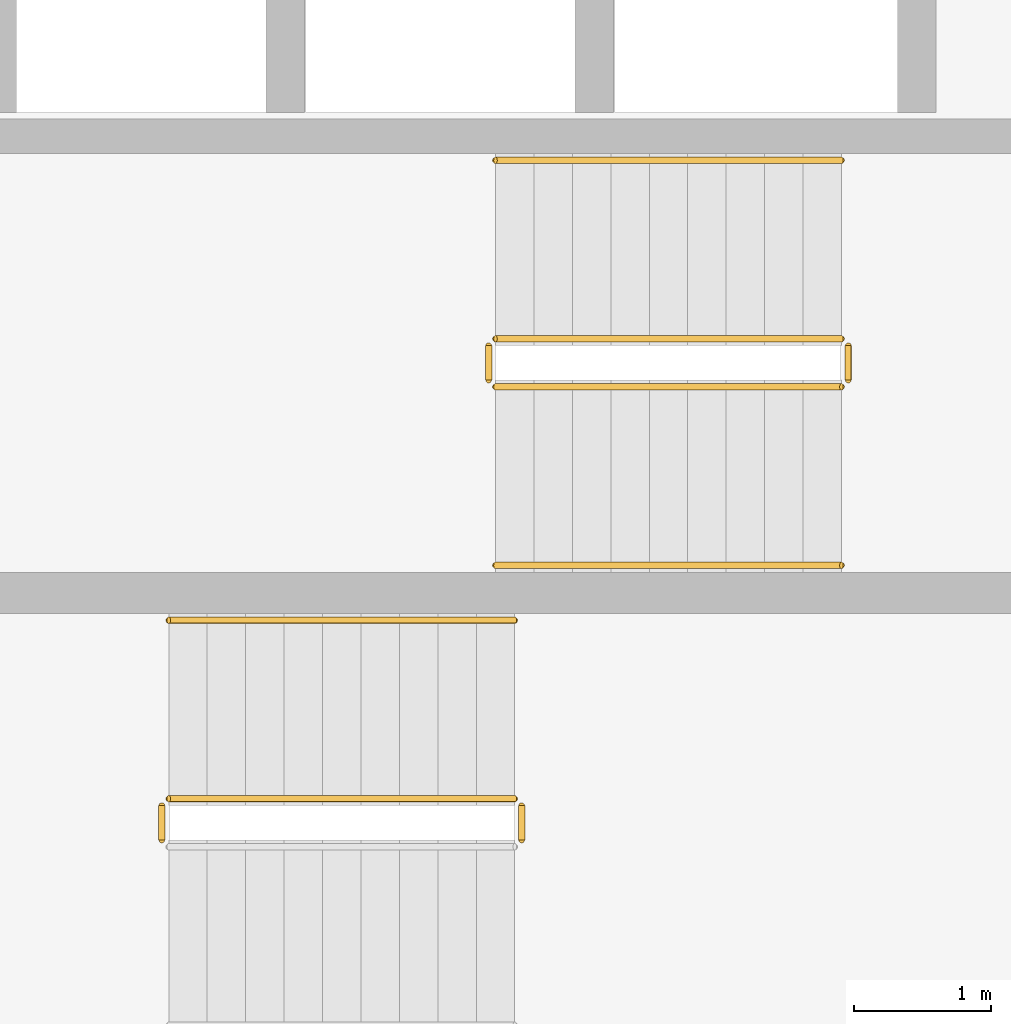
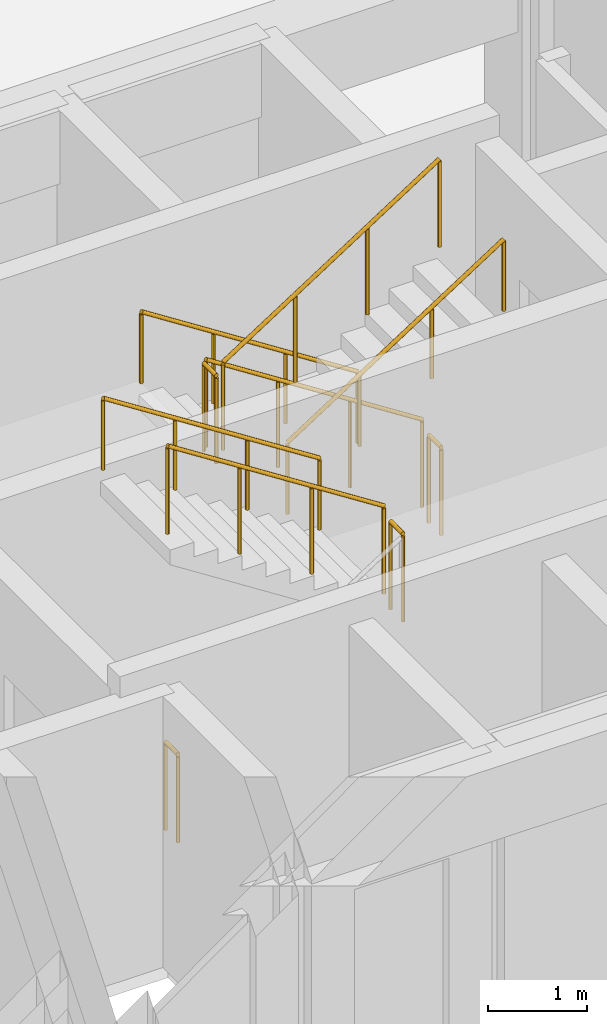
# One storey, part 23 of 24: 10 railings.
"""IFC4 building model written with IfcOpenShell, lengths in metres."""

import ifcopenshell
import ifcopenshell.guid

model = None  # the IFC model being written
_history = None  # IfcOwnerHistory: only IFC2X3 demands one
_inside = {}  # id of a spatial element -> (the spatial element, [elements in it])
_under = {}  # id of a project, library or spatial element -> (it, [spatial elements below it])
_declared = {}  # id of a project -> (the project, [libraries it declares])
_typed = {}  # id of a type object -> (the type object, [elements of that type])
_made_of = {}  # id of a material, layer set ... -> (it, [elements and type objects made of it])


def new_model(schema):
    """Start an empty IFC model of exactly this schema.

    Asked for "IFC4X3", IfcOpenShell would pick the latest addendum, in which some entities
    have other attributes; the version numbers below select the first issue.
    IFC2X3 requires an IfcOwnerHistory on every rooted entity: one is made here for all.
    """
    global model, _history
    if schema == "IFC4X3":
        model = ifcopenshell.file(schema_version=(4, 3, 0, 0))
    else:
        model = ifcopenshell.file(schema=schema)
    _inside.clear()
    _under.clear()
    _declared.clear()
    _typed.clear()
    _made_of.clear()
    _history = None
    if model.schema == "IFC2X3":
        org = make("IfcOrganization", Name="unknown")
        user = make(
            "IfcPersonAndOrganization",
            ThePerson=make("IfcPerson", FamilyName="unknown"),
            TheOrganization=org,
        )
        app = make(
            "IfcApplication",
            ApplicationDeveloper=org,
            Version="unknown",
            ApplicationFullName="unknown",
            ApplicationIdentifier="unknown",
        )
        _history = make(
            "IfcOwnerHistory",
            OwningUser=user,
            OwningApplication=app,
            ChangeAction="ADDED",
            CreationDate=0,
        )
    return model


def make(cls, **values):
    """One entity of the class cls with the attributes given. An attribute that is None is left unset."""
    return model.create_entity(
        cls, **{name: value for name, value in values.items() if value is not None}
    )


def rooted(cls, **values):
    """An entity with a GlobalId (a new one), such as an element, a storey or a relation."""
    return make(cls, GlobalId=ifcopenshell.guid.new(), OwnerHistory=_history, **values)


def si_unit(unit_type, name, prefix=None):
    """IfcSIUnit, for example si_unit("LENGTHUNIT", "METRE", prefix="MILLI")."""
    return make("IfcSIUnit", UnitType=unit_type, Prefix=prefix, Name=name)


def assignment(units):
    """IfcUnitAssignment: the units of a project."""
    return None if units is None else make("IfcUnitAssignment", Units=units)


def point(xyz):
    """IfcCartesianPoint."""
    return None if xyz is None else make("IfcCartesianPoint", Coordinates=xyz)


def direction(xyz):
    """IfcDirection."""
    return None if xyz is None else make("IfcDirection", DirectionRatios=xyz)


def frame(location, z_axis=None, x_axis=None):
    """IfcAxis2Placement3D, a coordinate frame: its origin and axes. An axis left out is left unset."""
    return make(
        "IfcAxis2Placement3D",
        Location=point(location),
        Axis=direction(z_axis),
        RefDirection=direction(x_axis),
    )


def frame_2d(location, x_axis=None):
    """IfcAxis2Placement2D, a coordinate frame in the plane: its origin and x axis."""
    return make(
        "IfcAxis2Placement2D", Location=point(location), RefDirection=direction(x_axis)
    )


def origin():
    """The frame at (0, 0, 0) with its axes left unset."""
    return frame((0.0, 0.0, 0.0))


def origin_2d():
    """The frame at (0, 0) in the plane with its x axis left unset."""
    return frame_2d((0.0, 0.0))


def place(relative_to, where):
    """IfcLocalPlacement: puts the frame where relative to a parent placement (None: the world)."""
    return make(
        "IfcLocalPlacement", PlacementRelTo=relative_to, RelativePlacement=where
    )


def context(
    kind, dimensions, precision=None, world=None, true_north=None, identifier=None
):
    """IfcGeometricRepresentationContext, for example the 3D "Model" context."""
    return make(
        "IfcGeometricRepresentationContext",
        ContextIdentifier=identifier,
        ContextType=kind,
        CoordinateSpaceDimension=dimensions,
        Precision=precision,
        WorldCoordinateSystem=world,
        TrueNorth=true_north,
    )


def subcontext(parent, identifier, kind, view, scale=None):
    """IfcGeometricRepresentationSubContext, for example "Body" below "Model"."""
    return make(
        "IfcGeometricRepresentationSubContext",
        ContextIdentifier=identifier,
        ContextType=kind,
        ParentContext=parent,
        TargetScale=scale,
        TargetView=view,
    )


def project(units=None, contexts=None):
    """IfcProject with its units and contexts."""
    return rooted(
        "IfcProject",
        Name="project",
        RepresentationContexts=contexts,
        UnitsInContext=assignment(units),
    )


def spatial(cls, under=None, at=None, **own):
    """A site, building, storey or space (cls), placed at a placement, below another one or the project."""
    s = rooted(cls, ObjectPlacement=at, **own)
    if under is not None:
        _under.setdefault(under.id(), (under, []))[1].append(s)
    return s


def profile(cls, at=None, kind="AREA", **sizes):
    """A parametric profile (cls). Its sizes go by their IFC names, for example OverallWidth=200.0."""
    return make(cls, ProfileType=kind, Position=at, **sizes)


def circle(**sizes):
    """IfcCircleProfileDef."""
    return profile("IfcCircleProfileDef", **sizes)


def extrude(swept, where, along, depth):
    """IfcExtrudedAreaSolid: the profile swept, set in the frame where, extruded along a direction by depth."""
    return make(
        "IfcExtrudedAreaSolid",
        SweptArea=swept,
        Position=where,
        ExtrudedDirection=direction(along),
        Depth=depth,
    )


def shape(context_of_items, identifier, shape_type, items):
    """IfcShapeRepresentation: the items that make up one representation, for example the "Body"."""
    return make(
        "IfcShapeRepresentation",
        ContextOfItems=context_of_items,
        RepresentationIdentifier=identifier,
        RepresentationType=shape_type,
        Items=items,
    )


def material(Name=None, Category=None):
    """IfcMaterial."""
    return make("IfcMaterial", Name=Name, Category=Category)


def made_of(thing, what):
    """Note that an element or type object is made of a material, layer set ...; save() writes the relation."""
    if what is not None:
        _made_of.setdefault(what.id(), (what, []))[1].append(thing)
    return thing


def type_object(cls, material=None, **own):
    """A type object (cls), such as IfcWallType, which elements share."""
    return made_of(rooted(cls, **own), material)


def element(
    cls,
    number,
    at=None,
    inside=None,
    cuts=None,
    type_object=None,
    material=None,
    context=None,
    identifier="Body",
    shape_type=None,
    held_by="IfcProductDefinitionShape",
    body=None,
    shapes=None,
    **own,
):
    """One element of the class cls, such as IfcWall. Its Tag is "e" and its number.

    at: its placement. inside: the storey or other place that contains it. cuts: it is an
    opening in that element (IfcRelVoidsElement). A single representation is given by context,
    identifier, shape_type and body (its items); several are given by shapes. held_by: the class
    of the entity that holds the representations. save() writes the other relations.
    """
    e = rooted(cls, Tag="e%d" % number, ObjectPlacement=at, **own)
    if body is not None:
        shapes = [shape(context, identifier, shape_type, body)]
    if shapes is not None:
        e.Representation = make(held_by, Representations=shapes)
    if inside is not None:
        _inside.setdefault(inside.id(), (inside, []))[1].append(e)
    if cuts is not None:
        rooted(
            "IfcRelVoidsElement", RelatingBuildingElement=cuts, RelatedOpeningElement=e
        )
    if type_object is not None:
        _typed.setdefault(type_object.id(), (type_object, []))[1].append(e)
    return made_of(e, material)


def aggregate(whole, parts):
    """IfcRelAggregates: a whole, such as a stair, and the parts it consists of."""
    return rooted("IfcRelAggregates", RelatingObject=whole, RelatedObjects=parts)


def save(model, path):
    """Write the relations noted so far, then the file.

    IfcRelAggregates (storeys below a building ...), IfcRelContainedInSpatialStructure (elements
    in a storey), IfcRelDefinesByType, IfcRelAssociatesMaterial and IfcRelDeclares: one each for
    every whole, place, type object, material and project.
    """
    for whole, parts in _under.values():
        aggregate(whole, parts)
    for where, things in _inside.values():
        rooted(
            "IfcRelContainedInSpatialStructure",
            RelatedElements=things,
            RelatingStructure=where,
        )
    for kind, things in _typed.values():
        rooted("IfcRelDefinesByType", RelatedObjects=things, RelatingType=kind)
    for what, things in _made_of.values():
        rooted("IfcRelAssociatesMaterial", RelatedObjects=things, RelatingMaterial=what)
    for by, libraries in _declared.values():
        rooted("IfcRelDeclares", RelatingContext=by, RelatedDefinitions=libraries)
    model.write(path)


model = new_model("IFC4")

# Units and contexts
model_context = context("Model", 3, precision=1e-05, world=origin(), true_north=direction((0.0, 1.0)))
body_context = subcontext(model_context, "Body", "Model", "MODEL_VIEW")
ifc_project = project(units=[si_unit("LENGTHUNIT", "METRE"), si_unit("AREAUNIT", "SQUARE_METRE"), si_unit("VOLUMEUNIT", "CUBIC_METRE"), si_unit("PLANEANGLEUNIT", "RADIAN"), si_unit("MASSUNIT", "GRAM", prefix="KILO")], contexts=[model_context])

# Site, building, storey
site_placement = place(None, origin())
site = spatial("IfcSite", under=ifc_project, at=site_placement, CompositionType="ELEMENT")
building_placement = place(site_placement, origin())
building = spatial("IfcBuilding", under=site, at=building_placement, Name="Solvirekh Grand Hotel", CompositionType="ELEMENT")
storey_placement = place(building_placement, frame((0.0, 0.0, 86.0)))
storey = spatial("IfcBuildingStorey", under=building, at=storey_placement, Name="L21", CompositionType="ELEMENT", Elevation=86.0)

# Railings
ifc_material_1 = material(Name="Steel S355", Category="steel")
railing_type_1 = type_object("IfcRailingType", Name="Guard_Stair_1100", PredefinedType="GUARDRAIL", material=ifc_material_1)
railing_1_placement = place(storey_placement, frame((0.1201171875, -1.800048828125, 1.800048828125)))
element("IfcRailing", 1, at=railing_1_placement, inside=storey, type_object=railing_type_1, Name="L21 ST-1 stair guard 2", PredefinedType="GUARDRAIL", context=body_context, shape_type="SweptSolid", body=[
    extrude(circle(Radius=0.02392578125, at=origin_2d()), frame((0.0, 0.0, 1.076171875), z_axis=(0.0, 1.0, 0.0), x_axis=(-1.0, 0.0, 0.0)), (0.0, 0.0, 1.0), 0.25),
    extrude(circle(Radius=0.02099609375, at=origin_2d()), origin(), (0.0, 0.0, 1.0), 1.052001953125),
    extrude(circle(Radius=0.02099609375, at=origin_2d()), frame((0.0, 0.25, 0.0)), (0.0, 0.0, 1.0), 1.052001953125),
])
railing_2_placement = place(storey_placement, frame((0.070068359375, -1.5, 1.97998046875)))
element("IfcRailing", 2, at=railing_2_placement, inside=storey, type_object=railing_type_1, Name="L21 ST-1 stair guard 3", PredefinedType="GUARDRAIL", context=body_context, shape_type="SweptSolid", body=[
    extrude(circle(Radius=0.02392578125, at=origin_2d()), frame((0.0, 0.0, 1.076171875), z_axis=(-0.841162588446, 0.0, 0.540782303519), x_axis=(0.0, -1.0, 0.0)), (0.0, 0.0, 1.0), 2.995849609375),
    extrude(circle(Radius=0.02099609375, at=origin_2d()), origin(), (0.0, 0.0, 1.0), 1.052001953125),
    extrude(circle(Radius=0.02099609375, at=origin_2d()), frame((-0.840087890625, 0.0, 0.5400390625)), (0.0, 0.0, 1.0), 1.052001953125),
    extrude(circle(Radius=0.02099609375, at=origin_2d()), frame((-1.679931640625, 0.0, 1.080078125)), (0.0, 0.0, 1.0), 1.052001953125),
    extrude(circle(Radius=0.02099609375, at=origin_2d()), frame((-2.52001953125, 0.0, 1.6201171875)), (0.0, 0.0, 1.0), 1.052001953125),
])
railing_3_placement = place(storey_placement, frame((-2.5, -1.800048828125, 0.0)))
element("IfcRailing", 3, at=railing_3_placement, inside=storey, type_object=railing_type_1, Name="L21 ST-1 stair guard 4", PredefinedType="GUARDRAIL", context=body_context, shape_type="SweptSolid", body=[
    extrude(circle(Radius=0.02392578125, at=origin_2d()), frame((0.0, 0.0, 1.076171875), z_axis=(0.0, 1.0, 0.0), x_axis=(-1.0, 0.0, 0.0)), (0.0, 0.0, 1.0), 0.25),
    extrude(circle(Radius=0.02099609375, at=origin_2d()), origin(), (0.0, 0.0, 1.0), 1.052001953125),
    extrude(circle(Radius=0.02099609375, at=origin_2d()), frame((0.0, 0.25, 0.0)), (0.0, 0.0, 1.0), 1.052001953125),
])
railing_4_placement = place(storey_placement, frame((2.449951171875, 1.85009765625, 0.179931640625)))
element("IfcRailing", 4, at=railing_4_placement, inside=storey, type_object=railing_type_1, Name="L21 ST-2 stair guard 1", PredefinedType="GUARDRAIL", context=body_context, shape_type="SweptSolid", body=[
    extrude(circle(Radius=0.02392578125, at=origin_2d()), frame((0.0, 0.0, 1.076171875), z_axis=(-0.841162588446, 0.0, 0.540782303519), x_axis=(0.0, -1.0, 0.0)), (0.0, 0.0, 1.0), 2.995849609375),
    extrude(circle(Radius=0.02099609375, at=origin_2d()), origin(), (0.0, 0.0, 1.0), 1.052001953125),
    extrude(circle(Radius=0.02099609375, at=origin_2d()), frame((-0.840087890625, 0.0, 0.5400390625)), (0.0, 0.0, 1.0), 1.052001953125),
    extrude(circle(Radius=0.02099609375, at=origin_2d()), frame((-1.679931640625, 0.0, 1.080078125)), (0.0, 0.0, 1.0), 1.052001953125),
    extrude(circle(Radius=0.02099609375, at=origin_2d()), frame((-2.52001953125, 0.0, 1.6201171875)), (0.0, 0.0, 1.0), 1.052001953125),
])
railing_5_placement = place(storey_placement, frame((-0.1201171875, 1.800048828125, 1.800048828125)))
element("IfcRailing", 5, at=railing_5_placement, inside=storey, type_object=railing_type_1, Name="L21 ST-2 stair guard 2", PredefinedType="GUARDRAIL", context=body_context, shape_type="SweptSolid", body=[
    extrude(circle(Radius=0.02392578125, at=origin_2d()), frame((0.0, 0.0, 1.076171875), z_axis=(0.0, -1.0, 0.0), x_axis=(1.0, 0.0, 0.0)), (0.0, 0.0, 1.0), 0.25),
    extrude(circle(Radius=0.02099609375, at=origin_2d()), origin(), (0.0, 0.0, 1.0), 1.052001953125),
    extrude(circle(Radius=0.02099609375, at=origin_2d()), frame((0.0, -0.25, 0.0)), (0.0, 0.0, 1.0), 1.052001953125),
])
railing_6_placement = place(storey_placement, frame((-0.070068359375, 1.5, 1.97998046875)))
element("IfcRailing", 6, at=railing_6_placement, inside=storey, type_object=railing_type_1, Name="L21 ST-2 stair guard 3", PredefinedType="GUARDRAIL", context=body_context, shape_type="SweptSolid", body=[
    extrude(circle(Radius=0.02392578125, at=origin_2d()), frame((0.0, 0.0, 1.076171875), z_axis=(0.841162588446, 0.0, 0.540782303519), x_axis=(0.0, 1.0, 0.0)), (0.0, 0.0, 1.0), 2.995849609375),
    extrude(circle(Radius=0.02099609375, at=origin_2d()), origin(), (0.0, 0.0, 1.0), 1.052001953125),
    extrude(circle(Radius=0.02099609375, at=origin_2d()), frame((0.840087890625, 0.0, 0.5400390625)), (0.0, 0.0, 1.0), 1.052001953125),
    extrude(circle(Radius=0.02099609375, at=origin_2d()), frame((1.679931640625, 0.0, 1.080078125)), (0.0, 0.0, 1.0), 1.052001953125),
    extrude(circle(Radius=0.02099609375, at=origin_2d()), frame((2.52001953125, 0.0, 1.6201171875)), (0.0, 0.0, 1.0), 1.052001953125),
])
railing_7_placement = place(storey_placement, frame((2.5, 1.800048828125, 0.0)))
element("IfcRailing", 7, at=railing_7_placement, inside=storey, type_object=railing_type_1, Name="L21 ST-2 stair guard 4", PredefinedType="GUARDRAIL", context=body_context, shape_type="SweptSolid", body=[
    extrude(circle(Radius=0.02392578125, at=origin_2d()), frame((0.0, 0.0, 1.076171875), z_axis=(0.0, -1.0, 0.0), x_axis=(1.0, 0.0, 0.0)), (0.0, 0.0, 1.0), 0.25),
    extrude(circle(Radius=0.02099609375, at=origin_2d()), origin(), (0.0, 0.0, 1.0), 1.052001953125),
    extrude(circle(Radius=0.02099609375, at=origin_2d()), frame((0.0, -0.25, 0.0)), (0.0, 0.0, 1.0), 1.052001953125),
])
ifc_material_2 = material(Name="Anodized Bronze Aluminium 6063-T6", Category="aluminium")
railing_type_2 = type_object("IfcRailingType", Name="Handrail_Wall_900", PredefinedType="HANDRAIL", material=ifc_material_2)
for number, where, name in (
    (8, (0.070068359375, -0.199951171875, 1.97998046875), "L21 ST-1 stair handrail 2"),
    (9, (2.449951171875, 3.14990234375, 0.179931640625), "L21 ST-2 stair handrail 1"),
):
    element("IfcRailing", number, at=place(storey_placement, frame(where)), inside=storey, type_object=railing_type_2, Name=name, PredefinedType="HANDRAIL", context=body_context, shape_type="SweptSolid", body=[
        extrude(circle(Radius=0.02392578125, at=origin_2d()), frame((0.0, 0.0, 0.8759765625), z_axis=(-0.841162588446, 0.0, 0.540782303519), x_axis=(0.0, -1.0, 0.0)), (0.0, 0.0, 1.0), 2.995849609375),
        extrude(circle(Radius=0.02099609375, at=origin_2d()), origin(), (0.0, 0.0, 1.0), 0.851806640625),
        extrude(circle(Radius=0.02099609375, at=origin_2d()), frame((-0.840087890625, 0.0, 0.5400390625)), (0.0, 0.0, 1.0), 0.851806640625),
        extrude(circle(Radius=0.02099609375, at=origin_2d()), frame((-1.679931640625, 0.0, 1.080078125)), (0.0, 0.0, 1.0), 0.851806640625),
        extrude(circle(Radius=0.02099609375, at=origin_2d()), frame((-2.52001953125, 0.0, 1.6201171875)), (0.0, 0.0, 1.0), 0.851806640625),
    ])
railing_8_placement = place(storey_placement, frame((-0.070068359375, 0.199951171875, 1.97998046875)))
element("IfcRailing", 10, at=railing_8_placement, inside=storey, type_object=railing_type_2, Name="L21 ST-2 stair handrail 2", PredefinedType="HANDRAIL", context=body_context, shape_type="SweptSolid", body=[
    extrude(circle(Radius=0.02392578125, at=origin_2d()), frame((0.0, 0.0, 0.8759765625), z_axis=(0.841162588446, 0.0, 0.540782303519), x_axis=(0.0, 1.0, 0.0)), (0.0, 0.0, 1.0), 2.995849609375),
    extrude(circle(Radius=0.02099609375, at=origin_2d()), origin(), (0.0, 0.0, 1.0), 0.851806640625),
    extrude(circle(Radius=0.02099609375, at=origin_2d()), frame((0.840087890625, 0.0, 0.5400390625)), (0.0, 0.0, 1.0), 0.851806640625),
    extrude(circle(Radius=0.02099609375, at=origin_2d()), frame((1.679931640625, 0.0, 1.080078125)), (0.0, 0.0, 1.0), 0.851806640625),
    extrude(circle(Radius=0.02099609375, at=origin_2d()), frame((2.52001953125, 0.0, 1.6201171875)), (0.0, 0.0, 1.0), 0.851806640625),
])

save(model, "model.ifc")
